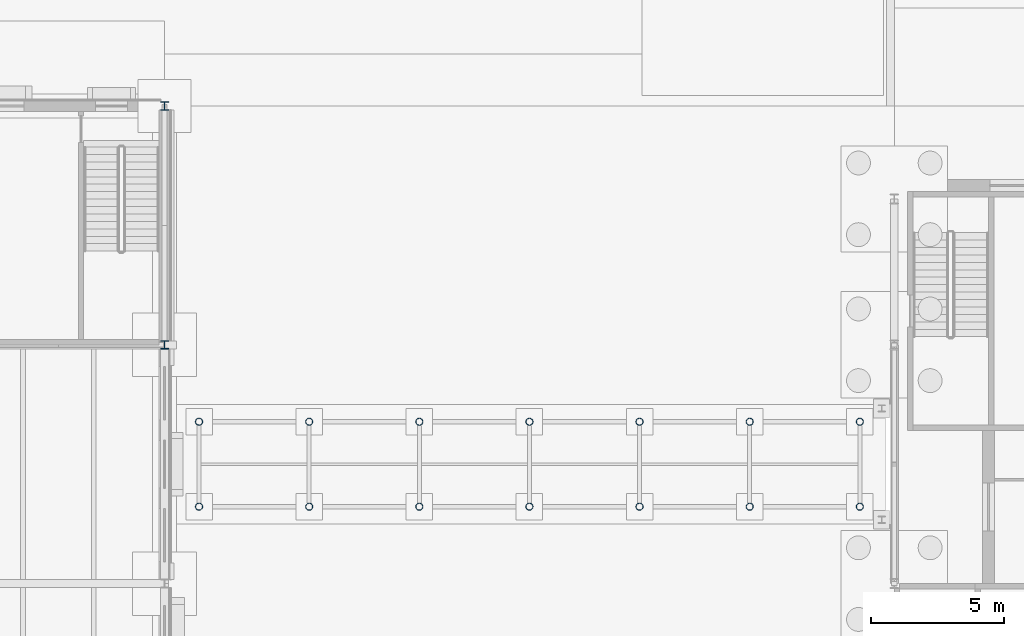
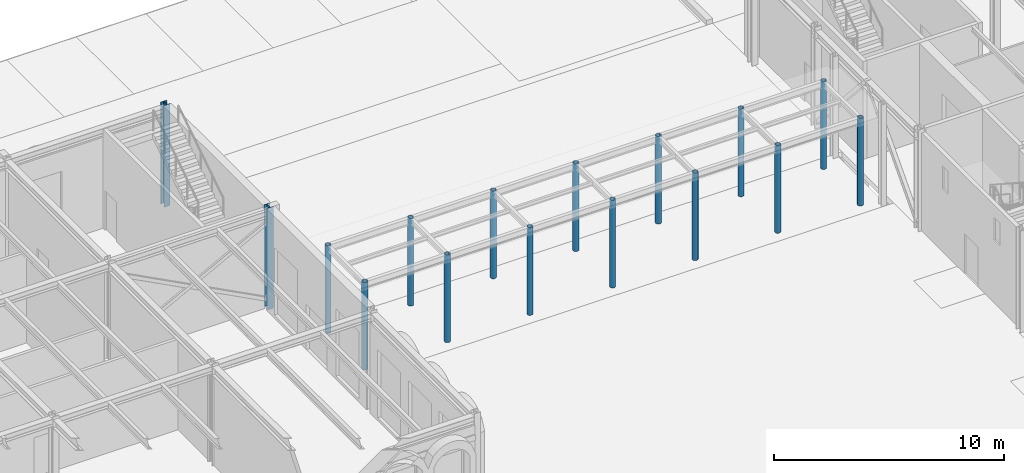
# One storey, part 17 of 126: 16 columns.
"""IFC4 building model written with IfcOpenShell, lengths in metres."""

from ifc_helpers import new_model, si_unit, direction, frame, origin, origin_2d, place, context, subcontext, project, spatial, hollow_circle, i_section, extrude, material, material_profile, profile_set, type_object, element, save


model = new_model("IFC4")

# Units and contexts
model_context = context("Model", 3, precision=1e-05, world=origin(), true_north=direction((0.0, 1.0)))
body_context = subcontext(model_context, "Body", "Model", "MODEL_VIEW")
ifc_project = project(units=[si_unit("LENGTHUNIT", "METRE"), si_unit("AREAUNIT", "SQUARE_METRE"), si_unit("VOLUMEUNIT", "CUBIC_METRE"), si_unit("PLANEANGLEUNIT", "RADIAN"), si_unit("MASSUNIT", "GRAM", prefix="KILO")], contexts=[model_context])

# Site, building, storey
site_placement = place(None, origin())
site = spatial("IfcSite", under=ifc_project, at=site_placement, CompositionType="ELEMENT")
building_placement = place(site_placement, origin())
building = spatial("IfcBuilding", under=site, at=building_placement, Name="Kallimachos Central Library", CompositionType="ELEMENT")
storey_placement = place(building_placement, origin())
storey = spatial("IfcBuildingStorey", under=building, at=storey_placement, Name="L00", CompositionType="ELEMENT", Elevation=0.0)

# Columns
ifc_material_1 = material(Name="Steel S355J2H", Category="steel")
ifc_material_profile_1 = material_profile(ifc_material_1, hollow_circle(Radius=0.136474609375, WallThickness=0.012451171875, at=origin_2d()), Name="CHS 273x12.5")
ifc_profile_set_1 = profile_set([ifc_material_profile_1], Name="Steel S355J2H")
column_type_1 = type_object("IfcColumnType", Name="CHS 273x12.5 column", PredefinedType="COLUMN", material=ifc_profile_set_1)
for number, where, z_axis, x_axis, name in (
    (1, (39.300048828125, 98.89990234375, 0.0), (0.0, 0.0, 1.0), (1.0, 0.0, 0.0), "Arcade A1 column"),
    (2, (39.300048828125, 102.10009765625, 0.0), (0.0, 0.0, 1.0), (1.0, 0.0, 0.0), "Arcade A1 column"),
    (3, (43.449951171875, 98.89990234375, 0.0), (0.0, 0.0, 1.0), (1.0, 0.0, 0.0), "Arcade A1 column"),
    (4, (43.449951171875, 102.10009765625, 0.0), (0.0, 0.0, 1.0), (1.0, 0.0, 0.0), "Arcade A1 column"),
    (5, (47.60009765625, 98.89990234375, 0.0), (0.0, 0.0, 1.0), (1.0, 0.0, 0.0), "Arcade A1 column"),
    (6, (47.60009765625, 102.10009765625, 0.0), (0.0, 0.0, 1.0), (1.0, 0.0, 0.0), "Arcade A1 column"),
    (7, (51.75, 98.89990234375, 0.0), (0.0, 0.0, 1.0), (1.0, 0.0, 0.0), "Arcade A1 column"),
    (8, (51.75, 102.10009765625, 0.0), (0.0, 0.0, 1.0), (1.0, 0.0, 0.0), "Arcade A1 column"),
    (9, (55.89990234375, 98.89990234375, 0.0), (0.0, 0.0, 1.0), (1.0, 0.0, 0.0), "Arcade A1 column"),
    (10, (55.89990234375, 102.10009765625, 0.0), (0.0, 0.0, 1.0), (1.0, 0.0, 0.0), "Arcade A1 column"),
    (11, (60.050048828125, 98.89990234375, 0.0), (0.0, 0.0, 1.0), (1.0, 0.0, 0.0), "Arcade A1 column"),
    (12, (60.050048828125, 102.10009765625, 0.0), (0.0, 0.0, 1.0), (1.0, 0.0, 0.0), "Arcade A1 column"),
    (13, (64.199951171875, 98.89990234375, 0.0), (0.0, 0.0, 1.0), (1.0, 0.0, 0.0), "Arcade A1 column"),
    (14, (64.199951171875, 102.10009765625, 0.0), (0.0, 0.0, 1.0), (1.0, 0.0, 0.0), "Arcade A1 column"),
):
    element("IfcColumn", number, at=place(storey_placement, frame(where, z_axis=z_axis, x_axis=x_axis)), inside=storey, type_object=column_type_1, Name=name, PredefinedType="COLUMN", context=body_context, shape_type="SweptSolid", body=[
        extrude(hollow_circle(Radius=0.136474609375, WallThickness=0.012451171875, at=origin_2d()), origin(), (0.0, 0.0, 1.0), 4.64990234375),
    ])
ifc_material_2 = material(Name="Steel S355J2", Category="steel")
ifc_material_profile_2 = material_profile(ifc_material_2, i_section(OverallWidth=0.300048828125, OverallDepth=0.320068359375, WebThickness=0.011474609375, FlangeThickness=0.0205078125, FilletRadius=0.027099609375, at=origin_2d()), Name="HEB 320")
ifc_profile_set_2 = profile_set([ifc_material_profile_2], Name="Steel S355J2")
column_type_2 = type_object("IfcColumnType", Name="HEB 320 column", PredefinedType="COLUMN", material=ifc_profile_set_2)
for number, where, z_axis, x_axis, name in (
    (15, (38.0, 105.0, 0.0), (0.0, 0.0, 1.0), (1.0, 0.0, 0.0), "V2-COL-L00-019"),
    (16, (38.0, 114.0, 0.0), (0.0, 0.0, 1.0), (1.0, 0.0, 0.0), "V2-COL-L00-020"),
):
    element("IfcColumn", number, at=place(storey_placement, frame(where, z_axis=z_axis, x_axis=x_axis)), inside=storey, type_object=column_type_2, Name=name, PredefinedType="COLUMN", context=body_context, shape_type="SweptSolid", body=[
        extrude(i_section(OverallWidth=0.300048828125, OverallDepth=0.320068359375, WebThickness=0.011474609375, FlangeThickness=0.0205078125, FilletRadius=0.027099609375, at=origin_2d()), origin(), (0.0, 0.0, 1.0), 5.39990234375),
    ])

save(model, "model.ifc")
